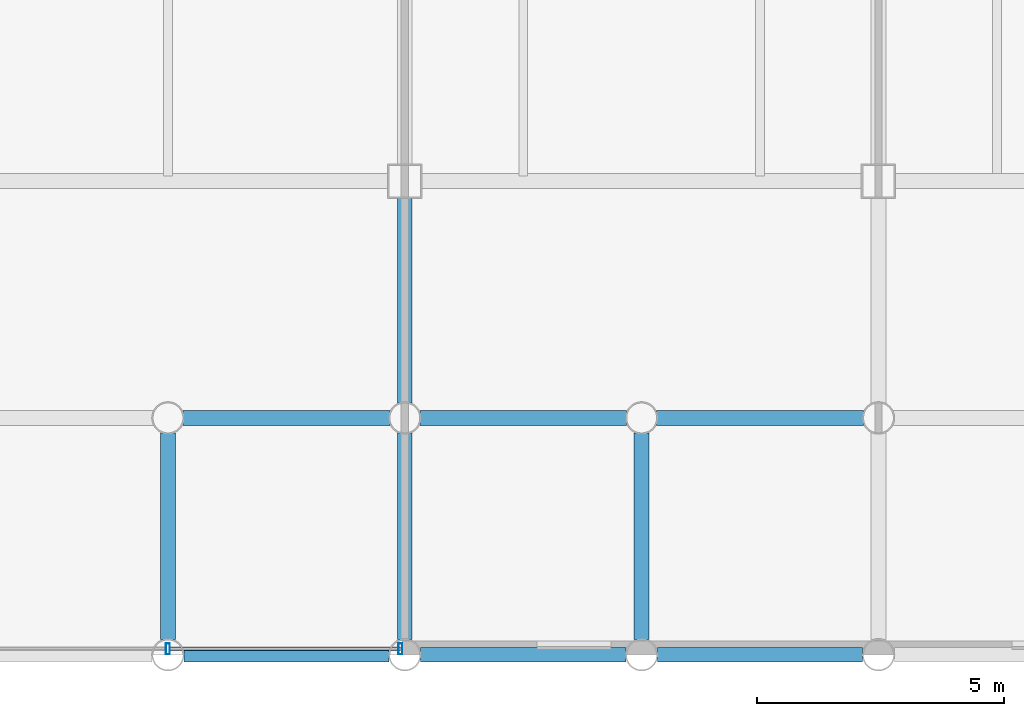
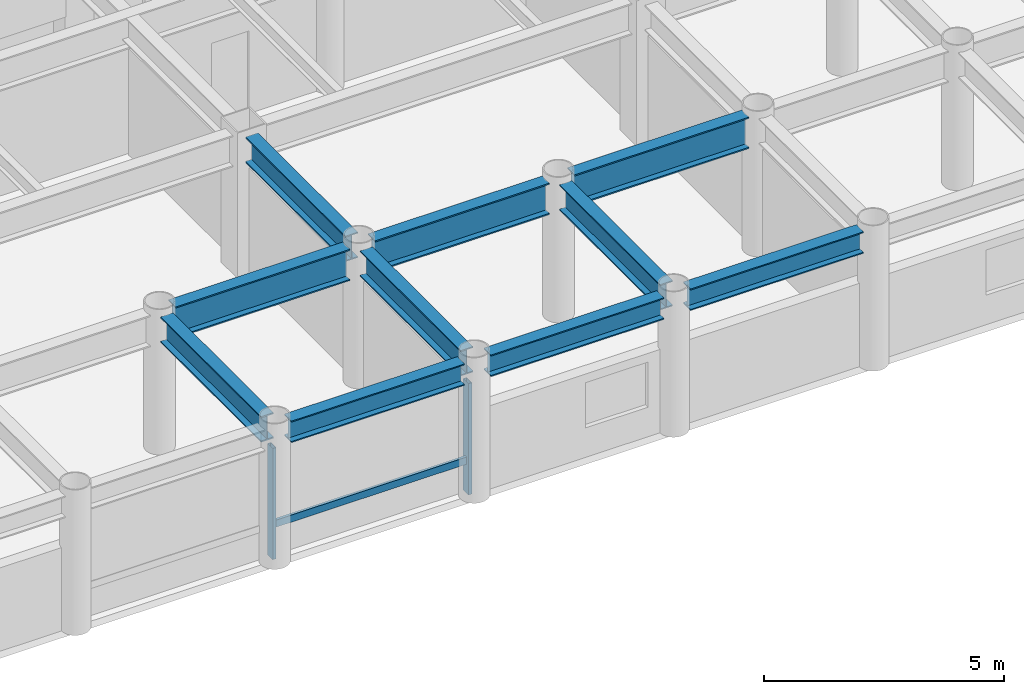
# One storey, part 6 of 19: 10 beams, 3 members, 1 element without a shape of its own.
"""IFC4 building model written with IfcOpenShell, lengths in metres."""

from ifc_helpers import new_model, si_unit, direction, frame, origin, origin_2d, place, context, subcontext, project, spatial, hollow_rectangle, i_section, extrude, material, layer, layer_set, material_profile, profile_set, type_object, element, aggregate, save


model = new_model("IFC4")

# Units and contexts
model_context = context("Model", 3, precision=1e-05, world=origin(), true_north=direction((0.0, 1.0)))
body_context = subcontext(model_context, "Body", "Model", "MODEL_VIEW")
ifc_project = project(units=[si_unit("LENGTHUNIT", "METRE"), si_unit("AREAUNIT", "SQUARE_METRE"), si_unit("VOLUMEUNIT", "CUBIC_METRE"), si_unit("PLANEANGLEUNIT", "RADIAN"), si_unit("MASSUNIT", "GRAM", prefix="KILO")], contexts=[model_context])

# Site, building, storey
site_placement = place(None, origin())
site = spatial("IfcSite", under=ifc_project, at=site_placement, CompositionType="ELEMENT")
building_placement = place(site_placement, origin())
building = spatial("IfcBuilding", under=site, at=building_placement, Name="Kallvorn Hotel Tower", CompositionType="ELEMENT")
storey_placement = place(building_placement, frame((0.0, 0.0, 165.5)))
storey = spatial("IfcBuildingStorey", under=building, at=storey_placement, Name="L41", CompositionType="ELEMENT", Elevation=165.5)

# Beams
ifc_material_1 = material(Name="Structural steel S355JR", Category="steel")
ifc_material_profile_1 = material_profile(ifc_material_1, i_section(OverallWidth=0.300048828125, OverallDepth=0.550048828125, WebThickness=0.014892578125, FlangeThickness=0.029052734375, at=origin_2d()), Name="HE 550 B")
ifc_profile_set_1 = profile_set([ifc_material_profile_1], Name="Structural steel S355JR")
beam_type_1 = type_object("IfcBeamType", Name="BM_HE550B", PredefinedType="SPANDREL", material=ifc_profile_set_1)
for number, where, z_axis, x_axis, name in (
    (1, (0.320068359375, -24.0, 3.2451171875), (1.0, 0.0, 0.0), (0.0, 1.0, 0.0), "L42 Perimeter Spandrel 157"),
    (2, (5.1201171875, -24.0, 3.2451171875), (1.0, 0.0, 0.0), (0.0, 1.0, 0.0), "L42 Perimeter Spandrel 158"),
):
    element("IfcBeam", number, at=place(storey_placement, frame(where, z_axis=z_axis, x_axis=x_axis)), inside=storey, type_object=beam_type_1, Name=name, PredefinedType="SPANDREL", context=body_context, shape_type="SweptSolid", body=[
        extrude(i_section(OverallWidth=0.300048828125, OverallDepth=0.550048828125, WebThickness=0.014892578125, FlangeThickness=0.029052734375, at=origin_2d()), origin(), (0.0, 0.0, 1.0), 4.159912109375),
    ])
beam_1_placement = place(storey_placement, frame((9.919921875, -24.0, 3.2451171875), z_axis=(1.0, 0.0, 0.0), x_axis=(0.0, 1.0, 0.0)))
element("IfcBeam", 3, at=beam_1_placement, inside=storey, type_object=beam_type_1, Name="L42 Perimeter Spandrel 159", PredefinedType="SPANDREL", context=body_context, shape_type="SweptSolid", body=[
    extrude(i_section(OverallWidth=0.300048828125, OverallDepth=0.550048828125, WebThickness=0.014892578125, FlangeThickness=0.029052734375, at=origin_2d()), origin(), (0.0, 0.0, 1.0), 4.16015625),
])
ifc_material_2 = material(Name="Structural steel S355JR", Category="steel")
ifc_material_profile_2 = material_profile(ifc_material_2, i_section(OverallWidth=0.300048828125, OverallDepth=0.64990234375, WebThickness=0.01611328125, FlangeThickness=0.031005859375, at=origin_2d()), Name="HE 650 B")
ifc_profile_set_2 = profile_set([ifc_material_profile_2], Name="Structural steel S355JR")
beam_type_2 = type_object("IfcBeamType", Name="BM_HE650B", PredefinedType="BEAM", material=ifc_profile_set_2)
for number, where, z_axis, x_axis, name in (
    (4, (0.0, -23.695068359375, 3.195068359375), (0.0, 1.0, 0.0), (-1.0, 0.0, 0.0), "L42 Primary Y-Girder 111"),
    (5, (4.800048828125, -23.695068359375, 3.195068359375), (0.0, 1.0, 0.0), (-1.0, 0.0, 0.0), "L42 Primary Y-Girder 114"),
):
    element("IfcBeam", number, at=place(storey_placement, frame(where, z_axis=z_axis, x_axis=x_axis)), inside=storey, type_object=beam_type_2, Name=name, PredefinedType="BEAM", context=body_context, shape_type="SweptSolid", body=[
        extrude(i_section(OverallWidth=0.300048828125, OverallDepth=0.64990234375, WebThickness=0.01611328125, FlangeThickness=0.031005859375, at=origin_2d()), origin(), (0.0, 0.0, 1.0), 4.190185546875),
    ])
beam_2_placement = place(storey_placement, frame((4.800048828125, -18.89501953125, 3.195068359375), z_axis=(0.0, 1.0, 0.0), x_axis=(-1.0, 0.0, 0.0)))
element("IfcBeam", 6, at=beam_2_placement, inside=storey, type_object=beam_type_2, Name="L42 Primary Y-Girder 115", PredefinedType="BEAM", context=body_context, shape_type="SweptSolid", body=[
    extrude(i_section(OverallWidth=0.300048828125, OverallDepth=0.64990234375, WebThickness=0.01611328125, FlangeThickness=0.031005859375, at=origin_2d()), origin(), (0.0, 0.0, 1.0), 4.169921875),
])
beam_3_placement = place(storey_placement, frame((9.60009765625, -23.695068359375, 3.195068359375), z_axis=(0.0, 1.0, 0.0), x_axis=(-1.0, 0.0, 0.0)))
element("IfcBeam", 7, at=beam_3_placement, inside=storey, type_object=beam_type_2, Name="L42 Primary Y-Girder 119", PredefinedType="BEAM", context=body_context, shape_type="SweptSolid", body=[
    extrude(i_section(OverallWidth=0.300048828125, OverallDepth=0.64990234375, WebThickness=0.01611328125, FlangeThickness=0.031005859375, at=origin_2d()), origin(), (0.0, 0.0, 1.0), 4.190185546875),
])
ifc_material_3 = material(Name="Structural steel S355JR", Category="steel")
ifc_material_profile_3 = material_profile(ifc_material_3, i_section(OverallWidth=0.300048828125, OverallDepth=0.800048828125, WebThickness=0.017578125, FlangeThickness=0.032958984375, at=origin_2d()), Name="HE 800 B")
ifc_profile_set_3 = profile_set([ifc_material_profile_3], Name="Structural steel S355JR")
beam_type_3 = type_object("IfcBeamType", Name="BM_HE800B", PredefinedType="BEAM", material=ifc_profile_set_3)
beam_4_placement = place(storey_placement, frame((0.304931640625, -19.199951171875, 3.1201171875), z_axis=(1.0, 0.0, 0.0), x_axis=(0.0, 1.0, 0.0)))
element("IfcBeam", 8, at=beam_4_placement, inside=storey, type_object=beam_type_3, Name="L42 Primary X-Girder 08", PredefinedType="BEAM", context=body_context, shape_type="SweptSolid", body=[
    extrude(i_section(OverallWidth=0.300048828125, OverallDepth=0.800048828125, WebThickness=0.017578125, FlangeThickness=0.032958984375, at=origin_2d()), origin(), (0.0, 0.0, 1.0), 4.190185546875),
])
for number, where, z_axis, x_axis, name in (
    (9, (5.10498046875, -19.199951171875, 3.1201171875), (1.0, 0.0, 0.0), (0.0, 1.0, 0.0), "L42 Primary X-Girder 09"),
    (10, (9.905029296875, -19.199951171875, 3.1201171875), (1.0, 0.0, 0.0), (0.0, 1.0, 0.0), "L42 Primary X-Girder 10"),
):
    element("IfcBeam", number, at=place(storey_placement, frame(where, z_axis=z_axis, x_axis=x_axis)), inside=storey, type_object=beam_type_3, Name=name, PredefinedType="BEAM", context=body_context, shape_type="SweptSolid", body=[
        extrude(i_section(OverallWidth=0.300048828125, OverallDepth=0.800048828125, WebThickness=0.017578125, FlangeThickness=0.032958984375, at=origin_2d()), origin(), (0.0, 0.0, 1.0), 4.18994140625),
    ])

# Curtain wall, members
ifc_material_4 = material(Name="Thermally broken black-anodised aluminium AA 6063-T6", Category="aluminium")
ifc_layer = layer(ifc_material_4, 0.2099609375)
ifc_layer_set = layer_set([ifc_layer], Name="CW_SYS_4_HOTEL_MID")
curtain_wall_type = type_object("IfcCurtainWallType", Name="CW_SYS_4_HOTEL_MID", PredefinedType="USERDEFINED", material=ifc_layer_set)
curtain_wall_placement = place(storey_placement, origin())
curtain_wall = element("IfcCurtainWall", 11, at=curtain_wall_placement, inside=storey, type_object=curtain_wall_type, Name="L41 Dark-Glass Curtain Wall CW-L41-SC", ObjectType="UNITISED CURTAIN WALL", PredefinedType="USERDEFINED")
ifc_material_5 = material(Name="Thermally broken black-anodised aluminium AA 6063-T6", Category="aluminium")
ifc_material_profile_4 = material_profile(ifc_material_5, hollow_rectangle(XDim=0.080078125, YDim=0.219970703125, WallThickness=0.0048828125, at=origin_2d()), Name="MUL 220x80")
ifc_profile_set_4 = profile_set([ifc_material_profile_4], Name="Thermally broken black-anodised aluminium AA 6063-T6")
member_type_1 = type_object("IfcMemberType", Name="CW_MULLION_220x80", PredefinedType="MULLION", material=ifc_profile_set_4)
member_1_placement = place(storey_placement, frame((0.0, -23.8798828125, 0.02001953125), z_axis=(0.0, 0.0, 1.0), x_axis=(1.0, 0.0, 0.0)))
member_1 = element("IfcMember", 12, at=member_1_placement, type_object=member_type_1, Name="CW-L41-SC Mullion 01", PredefinedType="MULLION", context=body_context, shape_type="SweptSolid", body=[
    extrude(hollow_rectangle(XDim=0.080078125, YDim=0.219970703125, WallThickness=0.0048828125, at=origin_2d()), origin(), (0.0, 0.0, 1.0), 2.830078125),
])
member_2_placement = place(storey_placement, frame((4.7099609375, -23.8798828125, 0.02001953125), z_axis=(0.0, 0.0, 1.0), x_axis=(1.0, 0.0, 0.0)))
member_2 = element("IfcMember", 13, at=member_2_placement, type_object=member_type_1, Name="CW-L41-SC Mullion 02", PredefinedType="MULLION", context=body_context, shape_type="SweptSolid", body=[
    extrude(hollow_rectangle(XDim=0.080078125, YDim=0.219970703125, WallThickness=0.0048828125, at=origin_2d()), origin(), (0.0, 0.0, 1.0), 2.830078125),
])
ifc_material_6 = material(Name="Thermally broken black-anodised aluminium AA 6063-T6", Category="aluminium")
ifc_material_profile_5 = material_profile(ifc_material_6, hollow_rectangle(XDim=0.070068359375, YDim=0.179931640625, WallThickness=0.00390625, at=origin_2d()), Name="TRN 180x70")
ifc_profile_set_5 = profile_set([ifc_material_profile_5], Name="Thermally broken black-anodised aluminium AA 6063-T6")
member_type_2 = type_object("IfcMemberType", Name="CW_TRANSOM_180x70", PredefinedType="USERDEFINED", material=ifc_profile_set_5)
member_3_placement = place(storey_placement, frame((0.0400390625, -23.8798828125, 0.85009765625), z_axis=(1.0, 0.0, 0.0), x_axis=(0.0, 1.0, 0.0)))
member_3 = element("IfcMember", 14, at=member_3_placement, type_object=member_type_2, Name="CW-L41-SC Transom 01M", ObjectType="TRANSOM", PredefinedType="USERDEFINED", context=body_context, shape_type="SweptSolid", body=[
    extrude(hollow_rectangle(XDim=0.070068359375, YDim=0.179931640625, WallThickness=0.00390625, at=origin_2d()), origin(), (0.0, 0.0, 1.0), 4.669921875),
])
aggregate(curtain_wall, [member_1, member_2, member_3])

save(model, "model.ifc")
